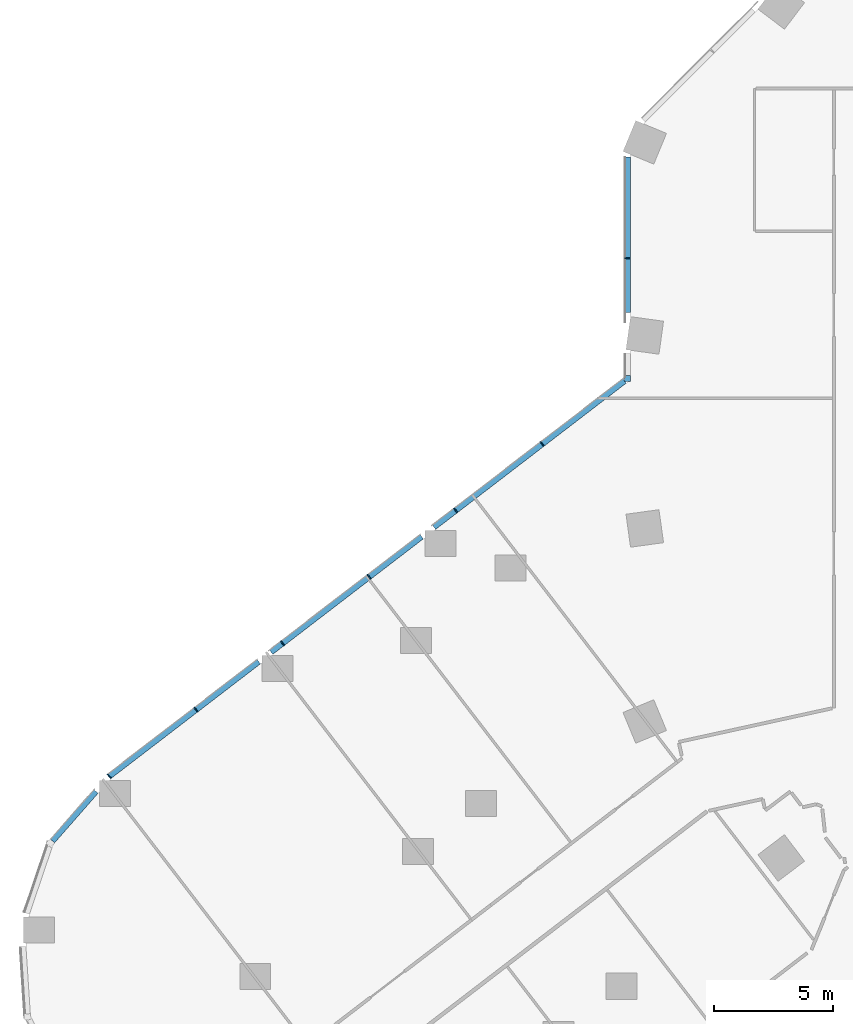
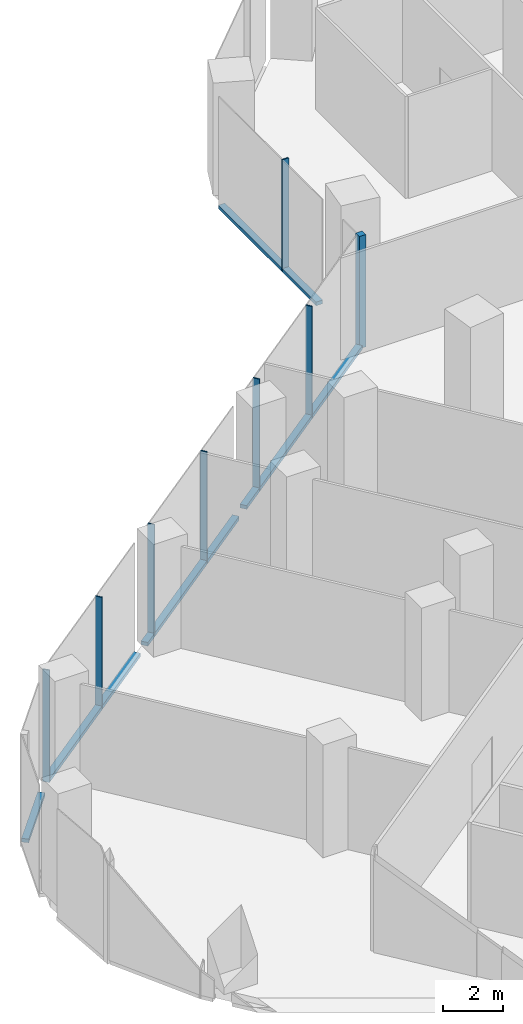
# One storey, part 5 of 30: 13 members, 3 elements without a shape of their own.
"""IFC4 building model written with IfcOpenShell, lengths in metres."""

from ifc_helpers import new_model, si_unit, direction, frame, origin, origin_2d, place, context, subcontext, project, spatial, rectangle, extrude, material, material_profile, profile_set, type_object, element, aggregate, save


model = new_model("IFC4")

# Units and contexts
model_context = context("Model", 3, precision=1e-05, world=origin(), true_north=direction((0.0, 1.0)))
body_context = subcontext(model_context, "Body", "Model", "MODEL_VIEW")
ifc_project = project(units=[si_unit("LENGTHUNIT", "METRE"), si_unit("AREAUNIT", "SQUARE_METRE"), si_unit("VOLUMEUNIT", "CUBIC_METRE"), si_unit("PLANEANGLEUNIT", "RADIAN"), si_unit("MASSUNIT", "GRAM", prefix="KILO")], contexts=[model_context])

# Site, building, storey
site_placement = place(None, origin())
site = spatial("IfcSite", under=ifc_project, at=site_placement, CompositionType="ELEMENT")
building_placement = place(site_placement, origin())
building = spatial("IfcBuilding", under=site, at=building_placement, Name="Orlundy Tower", CompositionType="ELEMENT")
storey_placement = place(building_placement, frame((0.0, 0.0, 20.5)))
storey = spatial("IfcBuildingStorey", under=building, at=storey_placement, Name="L03", CompositionType="ELEMENT", Elevation=20.5)

# Curtain wall, member
ifc_material_1 = material(Name="Aluminium bronze anodised", Category="aluminium")
curtain_wall_type = type_object("IfcCurtainWallType", Name="CW2 wall", PredefinedType="NOTDEFINED", material=ifc_material_1)
curtain_wall_1_placement = place(storey_placement, origin())
curtain_wall_1 = element("IfcCurtainWall", 1, at=curtain_wall_1_placement, inside=storey, type_object=curtain_wall_type, Name="CW2 run 013", PredefinedType="NOTDEFINED")
ifc_material_2 = material(Name="Aluminium bronze anodised", Category="aluminium")
ifc_material_profile_1 = material_profile(ifc_material_2, rectangle(XDim=0.25, YDim=0.25, at=origin_2d()), Name="CW2 corner post 250x250")
ifc_profile_set_1 = profile_set([ifc_material_profile_1], Name="Aluminium bronze anodised")
member_type_1 = type_object("IfcMemberType", Name="CW2 corner post 250x250", PredefinedType="MULLION", material=ifc_profile_set_1)
member_1_placement = place(storey_placement, frame((-30.125, 2.251708984375, -0.39990234375), z_axis=(0.0, 0.0, 1.0), x_axis=(-1.0, 0.0, 0.0)))
member_1 = element("IfcMember", 2, at=member_1_placement, type_object=member_type_1, Name="CW2 mullion 32", PredefinedType="MULLION", context=body_context, shape_type="SweptSolid", body=[
    extrude(rectangle(XDim=0.25, YDim=0.25, at=origin_2d()), origin(), (0.0, 0.0, 1.0), 4.579833984375),
])

# Curtain wall, members
curtain_wall_2_placement = place(storey_placement, origin())
curtain_wall_2 = element("IfcCurtainWall", 3, at=curtain_wall_2_placement, inside=storey, type_object=curtain_wall_type, Name="CW2 run 012", PredefinedType="NOTDEFINED")
ifc_material_3 = material(Name="Aluminium bronze anodised", Category="aluminium")
ifc_material_profile_2 = material_profile(ifc_material_3, rectangle(XDim=0.25, YDim=0.050048828125, at=origin_2d()), Name="CW2 mullion 50x250")
ifc_profile_set_2 = profile_set([ifc_material_profile_2], Name="Aluminium bronze anodised")
member_type_2 = type_object("IfcMemberType", Name="CW2 mullion 50x250", PredefinedType="MULLION", material=ifc_profile_set_2)
member_2_placement = place(storey_placement, frame((-51.928955078125, -14.479248046875, -0.39990234375), z_axis=(0.0, 0.0, 1.0), x_axis=(-0.683605084665, 0.729852100237, 0.0)))
member_2 = element("IfcMember", 4, at=member_2_placement, type_object=member_type_2, Name="CW2 mullion 26", PredefinedType="MULLION", context=body_context, shape_type="SweptSolid", body=[
    extrude(rectangle(XDim=0.25, YDim=0.050048828125, at=origin_2d()), origin(), (0.0, 0.0, 1.0), 4.579833984375),
])
member_3_placement = place(storey_placement, frame((-48.278564453125, -11.67822265625, -0.39990234375), z_axis=(0.0, 0.0, 1.0), x_axis=(-0.608767752232, 0.793348488271, 0.0)))
member_3 = element("IfcMember", 5, at=member_3_placement, type_object=member_type_2, Name="CW2 mullion 27", PredefinedType="MULLION", context=body_context, shape_type="SweptSolid", body=[
    extrude(rectangle(XDim=0.25, YDim=0.050048828125, at=origin_2d()), origin(), (0.0, 0.0, 1.0), 4.579833984375),
])
member_4_placement = place(storey_placement, frame((-44.63818359375, -8.884765625, -0.39990234375), z_axis=(0.0, 0.0, 1.0), x_axis=(-0.608767752232, 0.793348488271, 0.0)))
member_4 = element("IfcMember", 6, at=member_4_placement, type_object=member_type_2, Name="CW2 mullion 28", PredefinedType="MULLION", context=body_context, shape_type="SweptSolid", body=[
    extrude(rectangle(XDim=0.25, YDim=0.050048828125, at=origin_2d()), origin(), (0.0, 0.0, 1.0), 4.579833984375),
])
member_5_placement = place(storey_placement, frame((-40.99755859375, -6.09130859375, -0.39990234375), z_axis=(0.0, 0.0, 1.0), x_axis=(-0.608767752232, 0.793348488271, 0.0)))
member_5 = element("IfcMember", 7, at=member_5_placement, type_object=member_type_2, Name="CW2 mullion 29", PredefinedType="MULLION", context=body_context, shape_type="SweptSolid", body=[
    extrude(rectangle(XDim=0.25, YDim=0.050048828125, at=origin_2d()), origin(), (0.0, 0.0, 1.0), 4.579833984375),
])
member_6_placement = place(storey_placement, frame((-37.357177734375, -3.2978515625, -0.39990234375), z_axis=(0.0, 0.0, 1.0), x_axis=(-0.608767752232, 0.793348488271, 0.0)))
member_6 = element("IfcMember", 8, at=member_6_placement, type_object=member_type_2, Name="CW2 mullion 30", PredefinedType="MULLION", context=body_context, shape_type="SweptSolid", body=[
    extrude(rectangle(XDim=0.25, YDim=0.050048828125, at=origin_2d()), origin(), (0.0, 0.0, 1.0), 4.579833984375),
])
member_7_placement = place(storey_placement, frame((-33.716552734375, -0.50439453125, -0.39990234375), z_axis=(0.0, 0.0, 1.0), x_axis=(-0.608767752232, 0.793348488271, 0.0)))
member_7 = element("IfcMember", 9, at=member_7_placement, type_object=member_type_2, Name="CW2 mullion 31", PredefinedType="MULLION", context=body_context, shape_type="SweptSolid", body=[
    extrude(rectangle(XDim=0.25, YDim=0.050048828125, at=origin_2d()), origin(), (0.0, 0.0, 1.0), 4.579833984375),
])

# Member
member_8_placement = place(storey_placement, frame((-30.125, 7.30810546875, -0.39990234375), z_axis=(0.0, 0.0, 1.0), x_axis=(-1.0, 0.0, 0.0)))
member_8 = element("IfcMember", 10, at=member_8_placement, type_object=member_type_2, Name="CW2 mullion 33", PredefinedType="MULLION", context=body_context, shape_type="SweptSolid", body=[
    extrude(rectangle(XDim=0.25, YDim=0.050048828125, at=origin_2d()), origin(), (0.0, 0.0, 1.0), 4.579833984375),
])

# Curtain wall, member
curtain_wall_3_placement = place(storey_placement, origin())
curtain_wall_3 = element("IfcCurtainWall", 11, at=curtain_wall_3_placement, inside=storey, type_object=curtain_wall_type, Name="CW2 run 011", PredefinedType="NOTDEFINED")
ifc_material_4 = material(Name="Aluminium bronze anodised", Category="aluminium")
ifc_material_profile_3 = material_profile(ifc_material_4, rectangle(XDim=0.25, YDim=0.14990234375, at=origin_2d()), Name="CW2 transom 250x150")
ifc_profile_set_3 = profile_set([ifc_material_profile_3], Name="Aluminium bronze anodised")
member_type_3 = type_object("IfcMemberType", Name="CW2 transom 250x150", PredefinedType="USERDEFINED", material=ifc_profile_set_3)
member_9_placement = place(storey_placement, frame((-54.31494140625, -17.2001953125, -0.324951171875), z_axis=(0.659314701378, 0.751867092342, 0.0), x_axis=(-0.751867092342, 0.659314701378, 0.0)))
member_9 = element("IfcMember", 12, at=member_9_placement, type_object=member_type_3, Name="CW2 transom", ObjectType="TRANSOM", PredefinedType="USERDEFINED", context=body_context, shape_type="SweptSolid", body=[
    extrude(rectangle(XDim=0.25, YDim=0.14990234375, at=origin_2d()), origin(), (0.0, 0.0, 1.0), 2.7724609375),
])
aggregate(curtain_wall_3, [member_9])

# Member
member_10_placement = place(storey_placement, frame((-51.908935546875, -14.464111328125, -0.324951171875), z_axis=(0.793344721473, 0.608772661107, 0.0), x_axis=(-0.608772661107, 0.793344721473, 0.0)))
member_10 = element("IfcMember", 13, at=member_10_placement, type_object=member_type_3, Name="CW2 transom", ObjectType="TRANSOM", PredefinedType="USERDEFINED", context=body_context, shape_type="SweptSolid", body=[
    extrude(rectangle(XDim=0.25, YDim=0.14990234375, at=origin_2d()), origin(), (0.0, 0.0, 1.0), 7.902099609375),
])

member_11_placement = place(storey_placement, frame((-45.119140625, -9.25390625, -0.324951171875), z_axis=(0.793355048081, 0.608759203367, 0.0), x_axis=(-0.608759203367, 0.793355048081, 0.0)))
member_11 = element("IfcMember", 14, at=member_11_placement, type_object=member_type_3, Name="CW2 transom", ObjectType="TRANSOM", PredefinedType="USERDEFINED", context=body_context, shape_type="SweptSolid", body=[
    extrude(rectangle(XDim=0.25, YDim=0.14990234375, at=origin_2d()), origin(), (0.0, 0.0, 1.0), 7.976318359375),
])

member_12_placement = place(storey_placement, frame((-38.26953125, -3.998046875, -0.324951171875), z_axis=(0.793343505861, 0.608774245273, 0.0), x_axis=(-0.608774245273, 0.793343505861, 0.0)))
member_12 = element("IfcMember", 15, at=member_12_placement, type_object=member_type_3, Name="CW2 transom", ObjectType="TRANSOM", PredefinedType="USERDEFINED", context=body_context, shape_type="SweptSolid", body=[
    extrude(rectangle(XDim=0.25, YDim=0.14990234375, at=origin_2d()), origin(), (0.0, 0.0, 1.0), 10.108642578125),
])

aggregate(curtain_wall_2, [member_2, member_3, member_4, member_5, member_6, member_7, member_10, member_11, member_12])

member_13_placement = place(storey_placement, frame((-30.125, 5.01708984375, -0.324951171875), z_axis=(0.0, 1.0, 0.0), x_axis=(-1.0, 0.0, 0.0)))
member_13 = element("IfcMember", 16, at=member_13_placement, type_object=member_type_3, Name="CW2 transom", ObjectType="TRANSOM", PredefinedType="USERDEFINED", context=body_context, shape_type="SweptSolid", body=[
    extrude(rectangle(XDim=0.25, YDim=0.14990234375, at=origin_2d()), origin(), (0.0, 0.0, 1.0), 6.541259765625),
])

aggregate(curtain_wall_1, [member_1, member_8, member_13])

save(model, "model.ifc")
